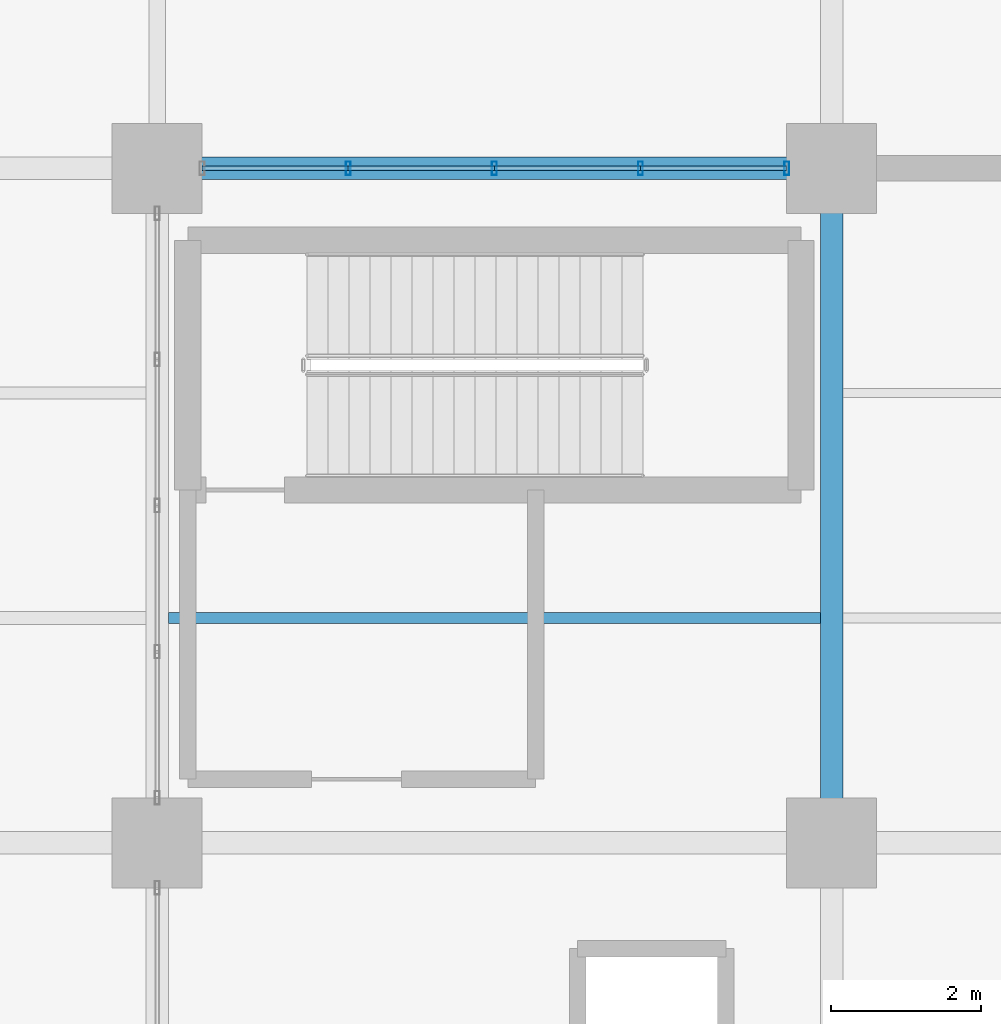
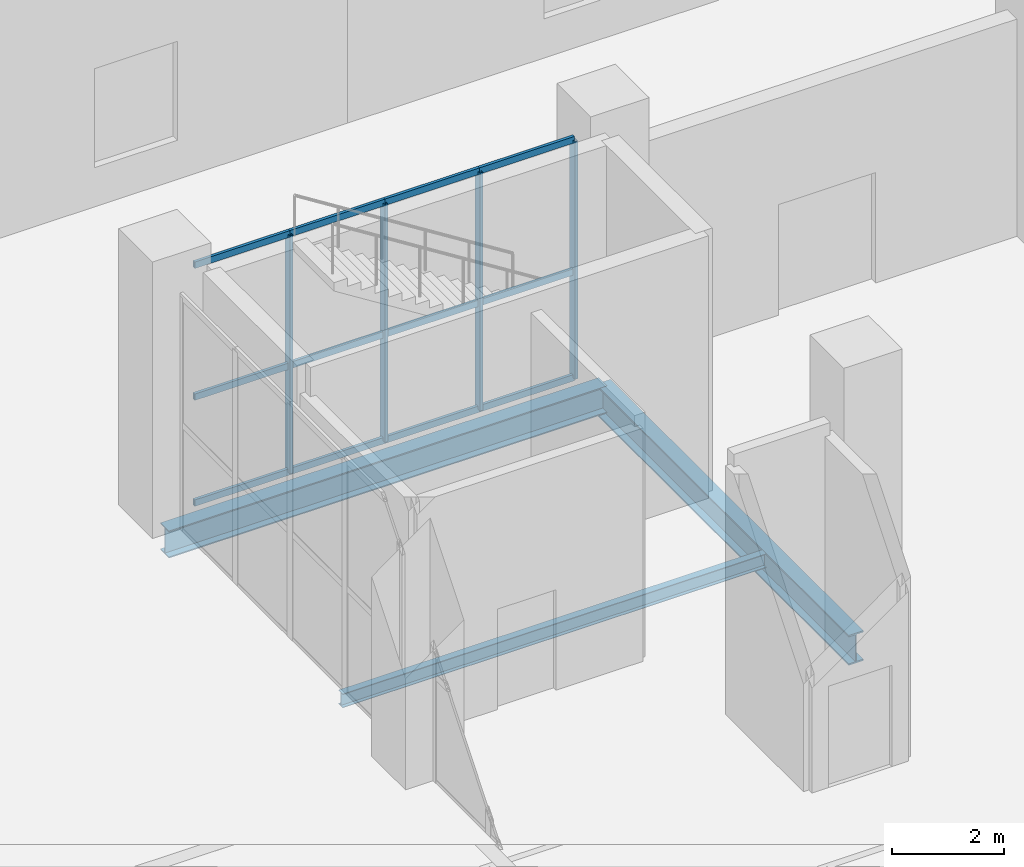
# One storey, part 58 of 144: 16 members, 3 beams, 1 element without a shape of its own.
"""IFC4 building model written with IfcOpenShell, lengths in metres."""

import ifcopenshell
import ifcopenshell.guid

model = None  # the IFC model being written
_history = None  # IfcOwnerHistory: only IFC2X3 demands one
_inside = {}  # id of a spatial element -> (the spatial element, [elements in it])
_under = {}  # id of a project, library or spatial element -> (it, [spatial elements below it])
_declared = {}  # id of a project -> (the project, [libraries it declares])
_typed = {}  # id of a type object -> (the type object, [elements of that type])
_made_of = {}  # id of a material, layer set ... -> (it, [elements and type objects made of it])


def new_model(schema):
    """Start an empty IFC model of exactly this schema.

    Asked for "IFC4X3", IfcOpenShell would pick the latest addendum, in which some entities
    have other attributes; the version numbers below select the first issue.
    IFC2X3 requires an IfcOwnerHistory on every rooted entity: one is made here for all.
    """
    global model, _history
    if schema == "IFC4X3":
        model = ifcopenshell.file(schema_version=(4, 3, 0, 0))
    else:
        model = ifcopenshell.file(schema=schema)
    _inside.clear()
    _under.clear()
    _declared.clear()
    _typed.clear()
    _made_of.clear()
    _history = None
    if model.schema == "IFC2X3":
        org = make("IfcOrganization", Name="unknown")
        user = make(
            "IfcPersonAndOrganization",
            ThePerson=make("IfcPerson", FamilyName="unknown"),
            TheOrganization=org,
        )
        app = make(
            "IfcApplication",
            ApplicationDeveloper=org,
            Version="unknown",
            ApplicationFullName="unknown",
            ApplicationIdentifier="unknown",
        )
        _history = make(
            "IfcOwnerHistory",
            OwningUser=user,
            OwningApplication=app,
            ChangeAction="ADDED",
            CreationDate=0,
        )
    return model


def make(cls, **values):
    """One entity of the class cls with the attributes given. An attribute that is None is left unset."""
    return model.create_entity(
        cls, **{name: value for name, value in values.items() if value is not None}
    )


def rooted(cls, **values):
    """An entity with a GlobalId (a new one), such as an element, a storey or a relation."""
    return make(cls, GlobalId=ifcopenshell.guid.new(), OwnerHistory=_history, **values)


def si_unit(unit_type, name, prefix=None):
    """IfcSIUnit, for example si_unit("LENGTHUNIT", "METRE", prefix="MILLI")."""
    return make("IfcSIUnit", UnitType=unit_type, Prefix=prefix, Name=name)


def assignment(units):
    """IfcUnitAssignment: the units of a project."""
    return None if units is None else make("IfcUnitAssignment", Units=units)


def point(xyz):
    """IfcCartesianPoint."""
    return None if xyz is None else make("IfcCartesianPoint", Coordinates=xyz)


def direction(xyz):
    """IfcDirection."""
    return None if xyz is None else make("IfcDirection", DirectionRatios=xyz)


def frame(location, z_axis=None, x_axis=None):
    """IfcAxis2Placement3D, a coordinate frame: its origin and axes. An axis left out is left unset."""
    return make(
        "IfcAxis2Placement3D",
        Location=point(location),
        Axis=direction(z_axis),
        RefDirection=direction(x_axis),
    )


def frame_2d(location, x_axis=None):
    """IfcAxis2Placement2D, a coordinate frame in the plane: its origin and x axis."""
    return make(
        "IfcAxis2Placement2D", Location=point(location), RefDirection=direction(x_axis)
    )


def origin():
    """The frame at (0, 0, 0) with its axes left unset."""
    return frame((0.0, 0.0, 0.0))


def origin_2d():
    """The frame at (0, 0) in the plane with its x axis left unset."""
    return frame_2d((0.0, 0.0))


def place(relative_to, where):
    """IfcLocalPlacement: puts the frame where relative to a parent placement (None: the world)."""
    return make(
        "IfcLocalPlacement", PlacementRelTo=relative_to, RelativePlacement=where
    )


def context(
    kind, dimensions, precision=None, world=None, true_north=None, identifier=None
):
    """IfcGeometricRepresentationContext, for example the 3D "Model" context."""
    return make(
        "IfcGeometricRepresentationContext",
        ContextIdentifier=identifier,
        ContextType=kind,
        CoordinateSpaceDimension=dimensions,
        Precision=precision,
        WorldCoordinateSystem=world,
        TrueNorth=true_north,
    )


def subcontext(parent, identifier, kind, view, scale=None):
    """IfcGeometricRepresentationSubContext, for example "Body" below "Model"."""
    return make(
        "IfcGeometricRepresentationSubContext",
        ContextIdentifier=identifier,
        ContextType=kind,
        ParentContext=parent,
        TargetScale=scale,
        TargetView=view,
    )


def project(units=None, contexts=None):
    """IfcProject with its units and contexts."""
    return rooted(
        "IfcProject",
        Name="project",
        RepresentationContexts=contexts,
        UnitsInContext=assignment(units),
    )


def spatial(cls, under=None, at=None, **own):
    """A site, building, storey or space (cls), placed at a placement, below another one or the project."""
    s = rooted(cls, ObjectPlacement=at, **own)
    if under is not None:
        _under.setdefault(under.id(), (under, []))[1].append(s)
    return s


def profile(cls, at=None, kind="AREA", **sizes):
    """A parametric profile (cls). Its sizes go by their IFC names, for example OverallWidth=200.0."""
    return make(cls, ProfileType=kind, Position=at, **sizes)


def hollow_rectangle(**sizes):
    """IfcRectangleHollowProfileDef."""
    return profile("IfcRectangleHollowProfileDef", **sizes)


def i_section(**sizes):
    """IfcIShapeProfileDef."""
    return profile("IfcIShapeProfileDef", **sizes)


def extrude(swept, where, along, depth):
    """IfcExtrudedAreaSolid: the profile swept, set in the frame where, extruded along a direction by depth."""
    return make(
        "IfcExtrudedAreaSolid",
        SweptArea=swept,
        Position=where,
        ExtrudedDirection=direction(along),
        Depth=depth,
    )


def shape(context_of_items, identifier, shape_type, items):
    """IfcShapeRepresentation: the items that make up one representation, for example the "Body"."""
    return make(
        "IfcShapeRepresentation",
        ContextOfItems=context_of_items,
        RepresentationIdentifier=identifier,
        RepresentationType=shape_type,
        Items=items,
    )


def material(Name=None, Category=None):
    """IfcMaterial."""
    return make("IfcMaterial", Name=Name, Category=Category)


def layer(
    of_material, thickness, ventilated=None, Name=None, Category=None, Priority=None
):
    """IfcMaterialLayer: one layer of a wall or slab, of a material (None: an air gap)."""
    return make(
        "IfcMaterialLayer",
        Material=of_material,
        LayerThickness=thickness,
        IsVentilated=ventilated,
        Name=Name,
        Category=Category,
        Priority=Priority,
    )


def layer_set(layers, Name=None):
    """IfcMaterialLayerSet."""
    return make("IfcMaterialLayerSet", MaterialLayers=layers, LayerSetName=Name)


def material_profile(
    of_material, cross_section, Name=None, Category=None, Priority=None
):
    """IfcMaterialProfile: a cross section and its material."""
    return make(
        "IfcMaterialProfile",
        Name=Name,
        Material=of_material,
        Profile=cross_section,
        Priority=Priority,
        Category=Category,
    )


def profile_set(profiles, Name=None, composite=None):
    """IfcMaterialProfileSet."""
    return make(
        "IfcMaterialProfileSet",
        Name=Name,
        MaterialProfiles=profiles,
        CompositeProfile=composite,
    )


def made_of(thing, what):
    """Note that an element or type object is made of a material, layer set ...; save() writes the relation."""
    if what is not None:
        _made_of.setdefault(what.id(), (what, []))[1].append(thing)
    return thing


def type_object(cls, material=None, **own):
    """A type object (cls), such as IfcWallType, which elements share."""
    return made_of(rooted(cls, **own), material)


def element(
    cls,
    number,
    at=None,
    inside=None,
    cuts=None,
    type_object=None,
    material=None,
    context=None,
    identifier="Body",
    shape_type=None,
    held_by="IfcProductDefinitionShape",
    body=None,
    shapes=None,
    **own,
):
    """One element of the class cls, such as IfcWall. Its Tag is "e" and its number.

    at: its placement. inside: the storey or other place that contains it. cuts: it is an
    opening in that element (IfcRelVoidsElement). A single representation is given by context,
    identifier, shape_type and body (its items); several are given by shapes. held_by: the class
    of the entity that holds the representations. save() writes the other relations.
    """
    e = rooted(cls, Tag="e%d" % number, ObjectPlacement=at, **own)
    if body is not None:
        shapes = [shape(context, identifier, shape_type, body)]
    if shapes is not None:
        e.Representation = make(held_by, Representations=shapes)
    if inside is not None:
        _inside.setdefault(inside.id(), (inside, []))[1].append(e)
    if cuts is not None:
        rooted(
            "IfcRelVoidsElement", RelatingBuildingElement=cuts, RelatedOpeningElement=e
        )
    if type_object is not None:
        _typed.setdefault(type_object.id(), (type_object, []))[1].append(e)
    return made_of(e, material)


def aggregate(whole, parts):
    """IfcRelAggregates: a whole, such as a stair, and the parts it consists of."""
    return rooted("IfcRelAggregates", RelatingObject=whole, RelatedObjects=parts)


def save(model, path):
    """Write the relations noted so far, then the file.

    IfcRelAggregates (storeys below a building ...), IfcRelContainedInSpatialStructure (elements
    in a storey), IfcRelDefinesByType, IfcRelAssociatesMaterial and IfcRelDeclares: one each for
    every whole, place, type object, material and project.
    """
    for whole, parts in _under.values():
        aggregate(whole, parts)
    for where, things in _inside.values():
        rooted(
            "IfcRelContainedInSpatialStructure",
            RelatedElements=things,
            RelatingStructure=where,
        )
    for kind, things in _typed.values():
        rooted("IfcRelDefinesByType", RelatedObjects=things, RelatingType=kind)
    for what, things in _made_of.values():
        rooted("IfcRelAssociatesMaterial", RelatedObjects=things, RelatingMaterial=what)
    for by, libraries in _declared.values():
        rooted("IfcRelDeclares", RelatingContext=by, RelatedDefinitions=libraries)
    model.write(path)


model = new_model("IFC4")

# Units and contexts
model_context = context("Model", 3, precision=1e-05, world=origin(), true_north=direction((0.0, 1.0)))
body_context = subcontext(model_context, "Body", "Model", "MODEL_VIEW")
ifc_project = project(units=[si_unit("LENGTHUNIT", "METRE"), si_unit("AREAUNIT", "SQUARE_METRE"), si_unit("VOLUMEUNIT", "CUBIC_METRE"), si_unit("PLANEANGLEUNIT", "RADIAN"), si_unit("MASSUNIT", "GRAM", prefix="KILO")], contexts=[model_context])

# Site, building, storey
site_placement = place(None, origin())
site = spatial("IfcSite", under=ifc_project, at=site_placement, CompositionType="ELEMENT")
building_placement = place(site_placement, origin())
building = spatial("IfcBuilding", under=site, at=building_placement, Name="Sundgate Opera House", CompositionType="ELEMENT")
storey_placement = place(building_placement, origin())
storey = spatial("IfcBuildingStorey", under=building, at=storey_placement, Name="L00", CompositionType="ELEMENT", Elevation=0.0)

# Beams
ifc_material_1 = material(Name="Steel S355J2", Category="steel")
ifc_material_profile_1 = material_profile(ifc_material_1, i_section(OverallWidth=0.300048828125, OverallDepth=0.590087890625, WebThickness=0.012939453125, FlangeThickness=0.02490234375, at=origin_2d()), Name="HEA 600")
ifc_profile_set_1 = profile_set([ifc_material_profile_1], Name="Steel S355J2")
beam_type_1 = type_object("IfcBeamType", Name="BM-GR-HEA600", PredefinedType="BEAM", material=ifc_profile_set_1)
beam_1_placement = place(storey_placement, frame((36.0, 78.0, -0.614990234375), z_axis=(1.0, 0.0, 0.0), x_axis=(0.0, 1.0, 0.0)))
element("IfcBeam", 1, at=beam_1_placement, inside=storey, type_object=beam_type_1, Name="L00 Primary E-W Girder B0484", PredefinedType="BEAM", context=body_context, shape_type="SweptSolid", body=[
    extrude(i_section(OverallWidth=0.300048828125, OverallDepth=0.590087890625, WebThickness=0.012939453125, FlangeThickness=0.02490234375, at=origin_2d()), origin(), (0.0, 0.0, 1.0), 9.0),
])
ifc_material_2 = material(Name="Steel S355J2", Category="steel")
ifc_material_profile_2 = material_profile(ifc_material_2, i_section(OverallWidth=0.300048828125, OverallDepth=0.64990234375, WebThickness=0.01611328125, FlangeThickness=0.031005859375, at=origin_2d()), Name="HEB 650")
ifc_profile_set_2 = profile_set([ifc_material_profile_2], Name="Steel S355J2")
beam_type_2 = type_object("IfcBeamType", Name="BM-GR-HEB650", PredefinedType="BEAM", material=ifc_profile_set_2)
beam_2_placement = place(storey_placement, frame((45.0, 69.0, -0.64501953125), z_axis=(0.0, 1.0, 0.0), x_axis=(-1.0, 0.0, 0.0)))
element("IfcBeam", 2, at=beam_2_placement, inside=storey, type_object=beam_type_2, Name="L00 Primary N-S Girder B0126", PredefinedType="BEAM", context=body_context, shape_type="SweptSolid", body=[
    extrude(i_section(OverallWidth=0.300048828125, OverallDepth=0.64990234375, WebThickness=0.01611328125, FlangeThickness=0.031005859375, at=origin_2d()), origin(), (0.0, 0.0, 1.0), 9.0),
])
ifc_material_3 = material(Name="Steel S355J2", Category="steel")
ifc_material_profile_3 = material_profile(ifc_material_3, i_section(OverallWidth=0.14990234375, OverallDepth=0.300048828125, WebThickness=0.007080078125, FlangeThickness=0.0107421875, at=origin_2d()), Name="IPE 300")
ifc_profile_set_3 = profile_set([ifc_material_profile_3], Name="Steel S355J2")
beam_type_3 = type_object("IfcBeamType", Name="BM-JS-IPE300", PredefinedType="JOIST", material=ifc_profile_set_3)
beam_3_placement = place(storey_placement, frame((36.14990234375, 72.0, -0.469970703125), z_axis=(1.0, 0.0, 0.0), x_axis=(0.0, 1.0, 0.0)))
element("IfcBeam", 3, at=beam_3_placement, inside=storey, type_object=beam_type_3, Name="L00 Secondary Floor Joist B0844", PredefinedType="JOIST", context=body_context, shape_type="SweptSolid", body=[
    extrude(i_section(OverallWidth=0.14990234375, OverallDepth=0.300048828125, WebThickness=0.007080078125, FlangeThickness=0.0107421875, at=origin_2d()), origin(), (0.0, 0.0, 1.0), 8.7001953125),
])

# Curtain wall, members
ifc_material_4 = material(Name="Anodized aluminium and low-iron glass", Category="aluminium")
ifc_layer = layer(ifc_material_4, 0.179931640625)
ifc_layer_set = layer_set([ifc_layer], Name="Anodized aluminium and low-iron glass")
curtain_wall_type = type_object("IfcCurtainWallType", Name="CW-FOYER-GLASS", PredefinedType="NOTDEFINED", material=ifc_layer_set)
curtain_wall_placement = place(storey_placement, origin())
curtain_wall = element("IfcCurtainWall", 4, at=curtain_wall_placement, inside=storey, type_object=curtain_wall_type, Name="L00 Curtain Wall CW003", PredefinedType="NOTDEFINED")
ifc_material_5 = material(Name="Anodized aluminium EN AW-6063", Category="aluminium")
ifc_material_profile_4 = material_profile(ifc_material_5, hollow_rectangle(XDim=0.06494140625, YDim=0.179931640625, WallThickness=0.00390625, at=origin_2d()), Name="CWM 180x65x4")
ifc_profile_set_4 = profile_set([ifc_material_profile_4], Name="Anodized aluminium EN AW-6063")
member_type_1 = type_object("IfcMemberType", Name="CWM-ALU-180x65", PredefinedType="MULLION", material=ifc_profile_set_4)
member_1_placement = place(storey_placement, frame((38.550048828125, 78.0, 0.0), z_axis=(0.0, 0.0, 1.0), x_axis=(1.0, 0.0, 0.0)))
member_1 = element("IfcMember", 5, at=member_1_placement, type_object=member_type_1, Name="CW003 Mullion 2", PredefinedType="MULLION", context=body_context, shape_type="SweptSolid", body=[
    extrude(hollow_rectangle(XDim=0.06494140625, YDim=0.179931640625, WallThickness=0.00390625, at=origin_2d()), origin(), (0.0, 0.0, 1.0), 5.1650390625),
])
member_2_placement = place(storey_placement, frame((40.5, 78.0, 0.0), z_axis=(0.0, 0.0, 1.0), x_axis=(1.0, 0.0, 0.0)))
member_2 = element("IfcMember", 6, at=member_2_placement, type_object=member_type_1, Name="CW003 Mullion 3", PredefinedType="MULLION", context=body_context, shape_type="SweptSolid", body=[
    extrude(hollow_rectangle(XDim=0.06494140625, YDim=0.179931640625, WallThickness=0.00390625, at=origin_2d()), origin(), (0.0, 0.0, 1.0), 5.1650390625),
])
member_3_placement = place(storey_placement, frame((42.449951171875, 78.0, 0.0), z_axis=(0.0, 0.0, 1.0), x_axis=(1.0, 0.0, 0.0)))
member_3 = element("IfcMember", 7, at=member_3_placement, type_object=member_type_1, Name="CW003 Mullion 4", PredefinedType="MULLION", context=body_context, shape_type="SweptSolid", body=[
    extrude(hollow_rectangle(XDim=0.06494140625, YDim=0.179931640625, WallThickness=0.00390625, at=origin_2d()), origin(), (0.0, 0.0, 1.0), 5.1650390625),
])
member_4_placement = place(storey_placement, frame((44.39990234375, 78.0, 0.0), z_axis=(0.0, 0.0, 1.0), x_axis=(1.0, 0.0, 0.0)))
member_4 = element("IfcMember", 8, at=member_4_placement, type_object=member_type_1, Name="CW003 Mullion 5", PredefinedType="MULLION", context=body_context, shape_type="SweptSolid", body=[
    extrude(hollow_rectangle(XDim=0.06494140625, YDim=0.179931640625, WallThickness=0.00390625, at=origin_2d()), origin(), (0.0, 0.0, 1.0), 5.1650390625),
])
ifc_material_6 = material(Name="Anodized aluminium EN AW-6063", Category="aluminium")
ifc_material_profile_5 = material_profile(ifc_material_6, hollow_rectangle(XDim=0.06005859375, YDim=0.139892578125, WallThickness=0.00390625, at=origin_2d()), Name="CWT 140x60x4")
ifc_profile_set_5 = profile_set([ifc_material_profile_5], Name="Anodized aluminium EN AW-6063")
member_type_2 = type_object("IfcMemberType", Name="CWT-ALU-140x60", PredefinedType="USERDEFINED", material=ifc_profile_set_5)
member_5_placement = place(storey_placement, frame((36.60009765625, 78.0, 0.0), z_axis=(1.0, 0.0, 0.0), x_axis=(0.0, 1.0, 0.0)))
member_5 = element("IfcMember", 9, at=member_5_placement, type_object=member_type_2, Name="CW003 Transom 1", ObjectType="TRANSOM", PredefinedType="USERDEFINED", context=body_context, shape_type="SweptSolid", body=[
    extrude(hollow_rectangle(XDim=0.06005859375, YDim=0.139892578125, WallThickness=0.00390625, at=origin_2d()), origin(), (0.0, 0.0, 1.0), 1.949951171875),
])
member_6_placement = place(storey_placement, frame((36.60009765625, 78.0, 2.300048828125), z_axis=(1.0, 0.0, 0.0), x_axis=(0.0, 1.0, 0.0)))
member_6 = element("IfcMember", 10, at=member_6_placement, type_object=member_type_2, Name="CW003 Transom 2", ObjectType="TRANSOM", PredefinedType="USERDEFINED", context=body_context, shape_type="SweptSolid", body=[
    extrude(hollow_rectangle(XDim=0.06005859375, YDim=0.139892578125, WallThickness=0.00390625, at=origin_2d()), origin(), (0.0, 0.0, 1.0), 1.949951171875),
])
member_7_placement = place(storey_placement, frame((36.60009765625, 78.0, 5.1650390625), z_axis=(1.0, 0.0, 0.0), x_axis=(0.0, 1.0, 0.0)))
member_7 = element("IfcMember", 11, at=member_7_placement, type_object=member_type_2, Name="CW003 Transom 3", ObjectType="TRANSOM", PredefinedType="USERDEFINED", context=body_context, shape_type="SweptSolid", body=[
    extrude(hollow_rectangle(XDim=0.06005859375, YDim=0.139892578125, WallThickness=0.00390625, at=origin_2d()), origin(), (0.0, 0.0, 1.0), 1.949951171875),
])
member_8_placement = place(storey_placement, frame((38.550048828125, 78.0, 0.0), z_axis=(1.0, 0.0, 0.0), x_axis=(0.0, 1.0, 0.0)))
member_8 = element("IfcMember", 12, at=member_8_placement, type_object=member_type_2, Name="CW003 Transom 4", ObjectType="TRANSOM", PredefinedType="USERDEFINED", context=body_context, shape_type="SweptSolid", body=[
    extrude(hollow_rectangle(XDim=0.06005859375, YDim=0.139892578125, WallThickness=0.00390625, at=origin_2d()), origin(), (0.0, 0.0, 1.0), 1.949951171875),
])
member_9_placement = place(storey_placement, frame((38.550048828125, 78.0, 2.300048828125), z_axis=(1.0, 0.0, 0.0), x_axis=(0.0, 1.0, 0.0)))
member_9 = element("IfcMember", 13, at=member_9_placement, type_object=member_type_2, Name="CW003 Transom 5", ObjectType="TRANSOM", PredefinedType="USERDEFINED", context=body_context, shape_type="SweptSolid", body=[
    extrude(hollow_rectangle(XDim=0.06005859375, YDim=0.139892578125, WallThickness=0.00390625, at=origin_2d()), origin(), (0.0, 0.0, 1.0), 1.949951171875),
])
member_10_placement = place(storey_placement, frame((38.550048828125, 78.0, 5.1650390625), z_axis=(1.0, 0.0, 0.0), x_axis=(0.0, 1.0, 0.0)))
member_10 = element("IfcMember", 14, at=member_10_placement, type_object=member_type_2, Name="CW003 Transom 6", ObjectType="TRANSOM", PredefinedType="USERDEFINED", context=body_context, shape_type="SweptSolid", body=[
    extrude(hollow_rectangle(XDim=0.06005859375, YDim=0.139892578125, WallThickness=0.00390625, at=origin_2d()), origin(), (0.0, 0.0, 1.0), 1.949951171875),
])
member_11_placement = place(storey_placement, frame((40.5, 78.0, 0.0), z_axis=(1.0, 0.0, 0.0), x_axis=(0.0, 1.0, 0.0)))
member_11 = element("IfcMember", 15, at=member_11_placement, type_object=member_type_2, Name="CW003 Transom 7", ObjectType="TRANSOM", PredefinedType="USERDEFINED", context=body_context, shape_type="SweptSolid", body=[
    extrude(hollow_rectangle(XDim=0.06005859375, YDim=0.139892578125, WallThickness=0.00390625, at=origin_2d()), origin(), (0.0, 0.0, 1.0), 1.949951171875),
])
member_12_placement = place(storey_placement, frame((40.5, 78.0, 2.300048828125), z_axis=(1.0, 0.0, 0.0), x_axis=(0.0, 1.0, 0.0)))
member_12 = element("IfcMember", 16, at=member_12_placement, type_object=member_type_2, Name="CW003 Transom 8", ObjectType="TRANSOM", PredefinedType="USERDEFINED", context=body_context, shape_type="SweptSolid", body=[
    extrude(hollow_rectangle(XDim=0.06005859375, YDim=0.139892578125, WallThickness=0.00390625, at=origin_2d()), origin(), (0.0, 0.0, 1.0), 1.949951171875),
])
member_13_placement = place(storey_placement, frame((40.5, 78.0, 5.1650390625), z_axis=(1.0, 0.0, 0.0), x_axis=(0.0, 1.0, 0.0)))
member_13 = element("IfcMember", 17, at=member_13_placement, type_object=member_type_2, Name="CW003 Transom 9", ObjectType="TRANSOM", PredefinedType="USERDEFINED", context=body_context, shape_type="SweptSolid", body=[
    extrude(hollow_rectangle(XDim=0.06005859375, YDim=0.139892578125, WallThickness=0.00390625, at=origin_2d()), origin(), (0.0, 0.0, 1.0), 1.949951171875),
])
member_14_placement = place(storey_placement, frame((42.449951171875, 78.0, 0.0), z_axis=(1.0, 0.0, 0.0), x_axis=(0.0, 1.0, 0.0)))
member_14 = element("IfcMember", 18, at=member_14_placement, type_object=member_type_2, Name="CW003 Transom 10", ObjectType="TRANSOM", PredefinedType="USERDEFINED", context=body_context, shape_type="SweptSolid", body=[
    extrude(hollow_rectangle(XDim=0.06005859375, YDim=0.139892578125, WallThickness=0.00390625, at=origin_2d()), origin(), (0.0, 0.0, 1.0), 1.949951171875),
])
member_15_placement = place(storey_placement, frame((42.449951171875, 78.0, 2.300048828125), z_axis=(1.0, 0.0, 0.0), x_axis=(0.0, 1.0, 0.0)))
member_15 = element("IfcMember", 19, at=member_15_placement, type_object=member_type_2, Name="CW003 Transom 11", ObjectType="TRANSOM", PredefinedType="USERDEFINED", context=body_context, shape_type="SweptSolid", body=[
    extrude(hollow_rectangle(XDim=0.06005859375, YDim=0.139892578125, WallThickness=0.00390625, at=origin_2d()), origin(), (0.0, 0.0, 1.0), 1.949951171875),
])
member_16_placement = place(storey_placement, frame((42.449951171875, 78.0, 5.1650390625), z_axis=(1.0, 0.0, 0.0), x_axis=(0.0, 1.0, 0.0)))
member_16 = element("IfcMember", 20, at=member_16_placement, type_object=member_type_2, Name="CW003 Transom 12", ObjectType="TRANSOM", PredefinedType="USERDEFINED", context=body_context, shape_type="SweptSolid", body=[
    extrude(hollow_rectangle(XDim=0.06005859375, YDim=0.139892578125, WallThickness=0.00390625, at=origin_2d()), origin(), (0.0, 0.0, 1.0), 1.949951171875),
])
aggregate(curtain_wall, [member_1, member_2, member_3, member_4, member_5, member_6, member_7, member_8, member_9, member_10, member_11, member_12, member_13, member_14, member_15, member_16])

save(model, "model.ifc")
